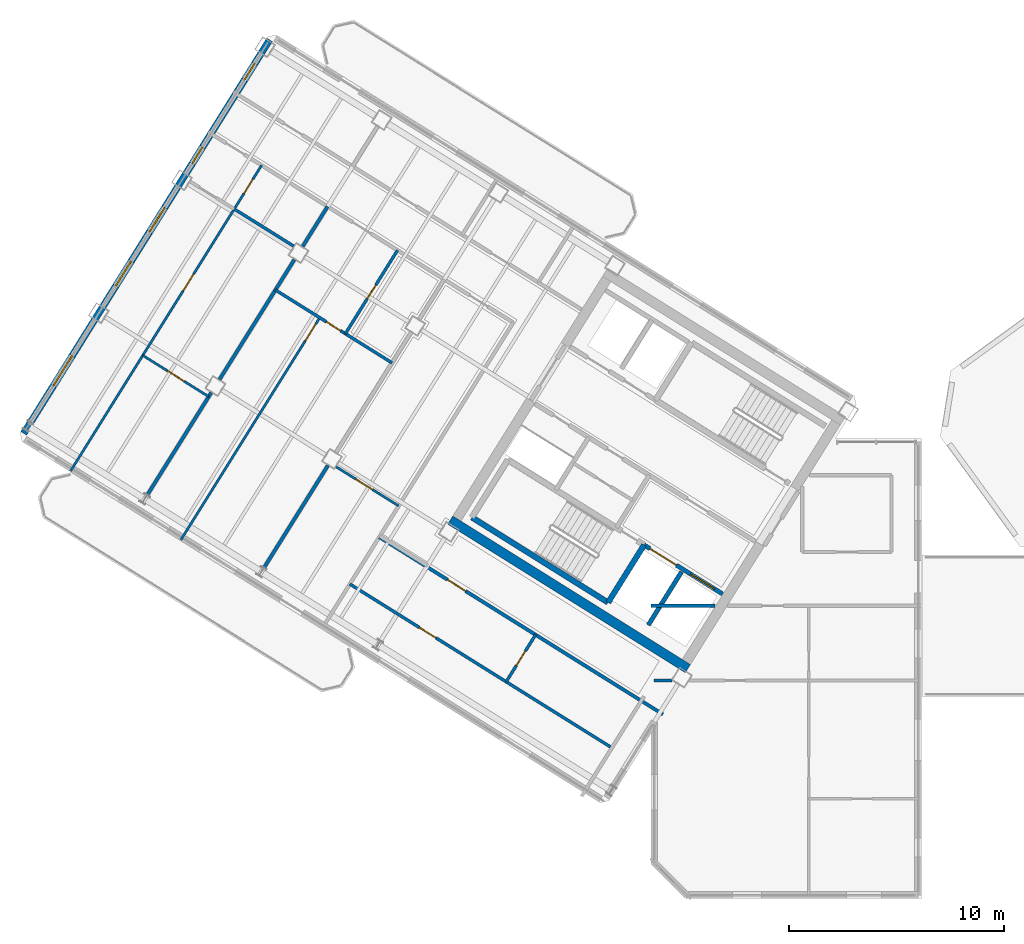
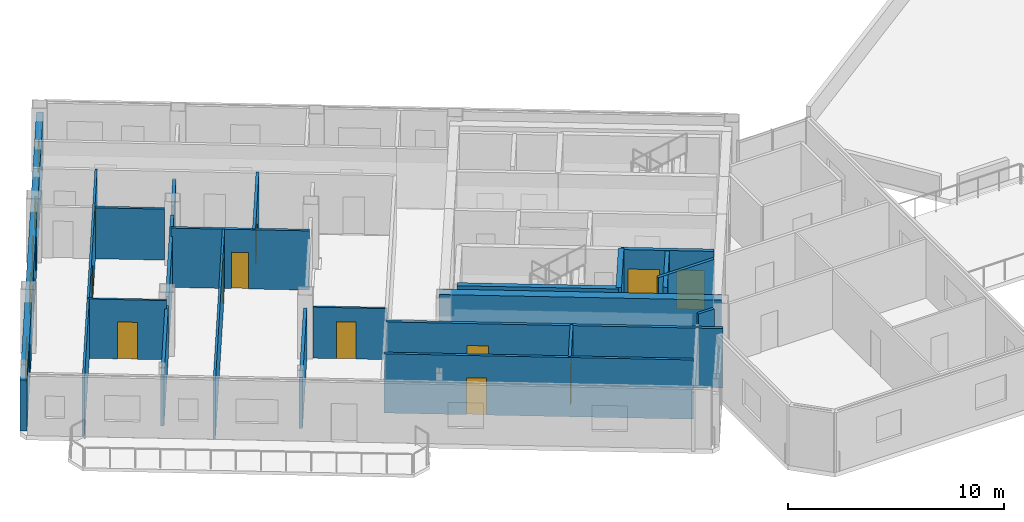
# One storey, part 5 of 14: 22 walls, 12 doors, 5 windows, 17 openings.
"""IFC4 building model written with IfcOpenShell, lengths in metres."""

from ifc_helpers import new_model, si_unit, direction, frame, frame_2d, origin, place, context, subcontext, project, spatial, rectangle, extrude, source, transform, mapped, material, layer, layer_set, type_object, element, fill, save


model = new_model("IFC4")

# Units and contexts
model_context = context("Model", 3, precision=1e-05, world=origin(), true_north=direction((0.0, 1.0)))
body_context = subcontext(model_context, "Body", "Model", "MODEL_VIEW")
ifc_project = project(units=[si_unit("LENGTHUNIT", "METRE"), si_unit("AREAUNIT", "SQUARE_METRE"), si_unit("VOLUMEUNIT", "CUBIC_METRE"), si_unit("PLANEANGLEUNIT", "RADIAN"), si_unit("MASSUNIT", "GRAM", prefix="KILO")], contexts=[model_context])

# Site, building, storey
site_placement = place(None, origin())
site = spatial("IfcSite", under=ifc_project, at=site_placement, CompositionType="ELEMENT")
building_placement = place(site_placement, origin())
building = spatial("IfcBuilding", under=site, at=building_placement, Name="Tlacorven Tower", CompositionType="ELEMENT")
storey_placement = place(building_placement, frame((0.0, 0.0, 262.800048828125)))
storey = spatial("IfcBuildingStorey", under=building, at=storey_placement, Name="L66", CompositionType="ELEMENT", Elevation=262.800048828125)

# Walls
ifc_material_1 = material(Name="Concrete C50/60", Category="concrete")
ifc_layer_1 = layer(ifc_material_1, 0.449951171875)
ifc_layer_set_1 = layer_set([ifc_layer_1], Name="Concrete C50/60")
wall_type_1 = type_object("IfcWallType", Name="WL-COR-450", PredefinedType="SHEAR", material=ifc_layer_set_1)
wall_1_placement = place(storey_placement, frame((33.32373046875, 12.5029296875, 0.0), z_axis=(0.0, 0.0, 1.0), x_axis=(-0.848043529849, 0.529926571782, 0.0)))
element("IfcWall", 1, at=wall_1_placement, inside=storey, type_object=wall_type_1, Name="L66 W core shear wall S2", PredefinedType="SHEAR", context=body_context, shape_type="SweptSolid", body=[
    extrude(rectangle(XDim=13.039794921875, YDim=0.449951171875, at=frame_2d((6.52001953125, 0.0))), origin(), (0.0, 0.0, 1.0), 3.349853515625),
])
ifc_material_2 = material(Name="Gypsum plasterboard acoustic partition", Category="gypsum")
ifc_layer_2 = layer(ifc_material_2, 0.159912109375)
ifc_layer_set_2 = layer_set([ifc_layer_2], Name="Gypsum plasterboard acoustic partition")
wall_type_2 = type_object("IfcWallType", Name="WL-DEM-160", PredefinedType="PARTITIONING", material=ifc_layer_set_2)
wall_2_placement = place(storey_placement, frame((16.57177734375, 21.954345703125, 0.0), z_axis=(0.0, 0.0, 1.0), x_axis=(-0.529904903214, -0.848057069748, 0.0)))
element("IfcWall", 2, at=wall_2_placement, inside=storey, type_object=wall_type_2, Name="L66 WN Demising Wall 1", PredefinedType="PARTITIONING", context=body_context, shape_type="SweptSolid", body=[
    extrude(rectangle(XDim=5.60107421875, YDim=0.159912109375, at=frame_2d((2.800537109375, 0.0))), origin(), (0.0, 0.0, 1.0), 2.875),
])
wall_3_placement = place(storey_placement, frame((16.555908203125, 34.006103515625, 0.0), z_axis=(0.0, 0.0, 1.0), x_axis=(-0.529998940003, -0.847998304005, 0.0)))
element("IfcWall", 3, at=wall_3_placement, inside=storey, type_object=wall_type_2, Name="L66 WN Demising Wall 2", PredefinedType="PARTITIONING", context=body_context, shape_type="SweptSolid", body=[
    extrude(rectangle(XDim=2.18798828125, YDim=0.159912109375, at=frame_2d((1.093994140625, 0.0))), origin(), (0.0, 0.0, 1.0), 2.875),
])
wall_4_placement = place(storey_placement, frame((15.0126953125, 31.53662109375, 0.0), z_axis=(0.0, 0.0, 1.0), x_axis=(-0.529922185033, -0.848046271031, 0.0)))
element("IfcWall", 4, at=wall_4_placement, inside=storey, type_object=wall_type_2, Name="L66 WN Demising Wall 2", PredefinedType="PARTITIONING", context=body_context, shape_type="SweptSolid", body=[
    extrude(rectangle(XDim=6.576171875, YDim=0.159912109375, at=frame_2d((3.2880859375, 0.0))), origin(), (0.0, 0.0, 1.0), 2.875),
])
wall_5_placement = place(storey_placement, frame((11.144287109375, 25.345947265625, 0.0), z_axis=(0.0, 0.0, 1.0), x_axis=(-0.529904903214, -0.848057069748, 0.0)))
element("IfcWall", 5, at=wall_5_placement, inside=storey, type_object=wall_type_2, Name="L66 WN Demising Wall 2", PredefinedType="PARTITIONING", context=body_context, shape_type="SweptSolid", body=[
    extrude(rectangle(XDim=5.60107421875, YDim=0.159912109375, at=frame_2d((2.800537109375, 0.0))), origin(), (0.0, 0.0, 1.0), 2.875),
])

# Wall, opening, door
wall_6_placement = place(storey_placement, frame((32.164306640625, 10.373779296875, 0.0), z_axis=(0.0, 0.0, 1.0), x_axis=(-0.848044107957, 0.529925646633, 0.0)))
wall_6 = element("IfcWall", 6, at=wall_6_placement, inside=storey, type_object=wall_type_2, Name="L66 partition 39", PredefinedType="PARTITIONING", context=body_context, shape_type="SweptSolid", body=[
    extrude(rectangle(XDim=15.570068359375, YDim=0.159912109375, at=frame_2d((7.78515625, 0.0))), origin(), (0.0, 0.0, 1.0), 3.33984375),
])
opening_1_placement = place(wall_6_placement, frame((10.830078125, 0.0, 0.0)))
opening_1 = element("IfcOpeningElement", 7, at=opening_1_placement, cuts=wall_6, Name="Opening D11", PredefinedType="OPENING", context=body_context, shape_type="SweptSolid", body=[
    extrude(rectangle(XDim=1.0, YDim=2.10009765625, at=frame_2d((0.5, 1.050048828125))), frame((0.0, 0.08984375, 0.0), z_axis=(0.0, -1.0, 0.0), x_axis=(1.0, 0.0, 0.0)), (0.0, 0.0, 1.0), 0.179931640625),
])
ifc_material_3 = material(Name="Fire-rated steel door assembly", Category="steel")
door_type_1 = type_object("IfcDoorType", Name="DR-FLT-FD60-1000", OperationType="NOTDEFINED", PredefinedType="DOOR", material=ifc_material_3)
shared_shape_1 = source(origin(), body_context, "Body", "SweptSolid", [
    extrude(rectangle(XDim=1.0, YDim=2.10009765625, at=frame_2d((0.5, 1.050048828125))), frame((0.0, 0.02490234375, 0.0), z_axis=(0.0, -1.0, 0.0), x_axis=(1.0, 0.0, 0.0)), (0.0, 0.0, 1.0), 0.050048828125),
])
door_1_placement = place(opening_1_placement, origin())
door_1 = element("IfcDoor", 8, at=door_1_placement, inside=storey, type_object=door_type_1, Name="L66 door 027", OperationType="SINGLE_SWING_LEFT", OverallHeight=2.10009765625, OverallWidth=1.0, PredefinedType="DOOR", context=body_context, shape_type="MappedRepresentation", body=[
    mapped(shared_shape_1, transform((0.0, 0.0, 0.0), scale=1.0)),
])
fill(opening_1, door_1)

# Wall
wall_7_placement = place(storey_placement, frame((31.60009765625, 15.419921875, 0.0), z_axis=(0.0, 0.0, 1.0), x_axis=(1.0, 0.0, 0.0)))
element("IfcWall", 9, at=wall_7_placement, inside=storey, type_object=wall_type_2, Name="L66 Knuckle Corridor South Wall", PredefinedType="PARTITIONING", context=body_context, shape_type="SweptSolid", body=[
    extrude(rectangle(XDim=2.984130859375, YDim=0.159912109375, at=frame_2d((1.4921875, 0.0))), origin(), (0.0, 0.0, 1.0), 3.33984375),
])

# Wall, openings, windows
ifc_material_4 = material(Name="Precast concrete C45/55", Category="concrete")
ifc_layer_3 = layer(ifc_material_4, 0.320068359375)
ifc_layer_set_3 = layer_set([ifc_layer_3], Name="Precast concrete C45/55")
wall_type_3 = type_object("IfcWallType", Name="WL-EXT-320", PredefinedType="STANDARD", material=ifc_layer_set_3)
wall_8_placement = place(storey_placement, frame((2.41455078125, 23.452392578125, 0.0), z_axis=(0.0, 0.0, 1.0), x_axis=(0.52991049553, 0.848053575387, 0.0)))
wall_8 = element("IfcWall", 10, at=wall_8_placement, inside=storey, type_object=wall_type_3, Name="L66 Masonry-Frame Recessed Facade Wall 7", PredefinedType="STANDARD", context=body_context, shape_type="SweptSolid", body=[
    extrude(rectangle(XDim=21.58740234375, YDim=0.320068359375, at=frame_2d((10.793701171875, 0.0))), origin(), (0.0, 0.0, 1.0), 2.875),
])
opening_2_placement = place(wall_8_placement, frame((2.606201171875, 0.0, 0.89990234375)))
opening_2 = element("IfcOpeningElement", 11, at=opening_2_placement, cuts=wall_8, Name="Opening WN07", PredefinedType="OPENING", context=body_context, shape_type="SweptSolid", body=[
    extrude(rectangle(XDim=1.64990234375, YDim=1.449951171875, at=frame_2d((0.824951171875, 0.72509765625))), frame((0.0, 0.169921875, 0.0), z_axis=(0.0, -1.0, 0.0), x_axis=(1.0, 0.0, 0.0)), (0.0, 0.0, 1.0), 0.340087890625),
])
opening_3_placement = place(wall_8_placement, frame((8.09375, 0.0, 0.89990234375)))
opening_3 = element("IfcOpeningElement", 12, at=opening_3_placement, cuts=wall_8, Name="Opening WN08", PredefinedType="OPENING", context=body_context, shape_type="SweptSolid", body=[
    extrude(rectangle(XDim=1.35009765625, YDim=1.449951171875, at=frame_2d((0.675048828125, 0.72509765625))), frame((0.0, 0.169921875, 0.0), z_axis=(0.0, -1.0, 0.0), x_axis=(1.0, 0.0, 0.0)), (0.0, 0.0, 1.0), 0.340087890625),
])
opening_4_placement = place(wall_8_placement, frame((11.043701171875, 0.0, 0.89990234375)))
opening_4 = element("IfcOpeningElement", 13, at=opening_4_placement, cuts=wall_8, Name="Opening WN08", PredefinedType="OPENING", context=body_context, shape_type="SweptSolid", body=[
    extrude(rectangle(XDim=1.35009765625, YDim=1.449951171875, at=frame_2d((0.675048828125, 0.72509765625))), frame((0.0, 0.169921875, 0.0), z_axis=(0.0, -1.0, 0.0), x_axis=(1.0, 0.0, 0.0)), (0.0, 0.0, 1.0), 0.340087890625),
])
opening_5_placement = place(wall_8_placement, frame((14.8037109375, 0.0, 1.0)))
opening_5 = element("IfcOpeningElement", 14, at=opening_5_placement, cuts=wall_8, Name="Opening WN05", PredefinedType="OPENING", context=body_context, shape_type="SweptSolid", body=[
    extrude(rectangle(XDim=0.89990234375, YDim=1.25, at=frame_2d((0.449951171875, 0.625))), frame((0.0, 0.169921875, 0.0), z_axis=(0.0, -1.0, 0.0), x_axis=(1.0, 0.0, 0.0)), (0.0, 0.0, 1.0), 0.340087890625),
])
opening_6_placement = place(wall_8_placement, frame((19.3837890625, 0.0, 1.0)))
opening_6 = element("IfcOpeningElement", 15, at=opening_6_placement, cuts=wall_8, Name="Opening WN05", PredefinedType="OPENING", context=body_context, shape_type="SweptSolid", body=[
    extrude(rectangle(XDim=0.89990234375, YDim=1.25, at=frame_2d((0.449951171875, 0.625))), frame((0.0, 0.169921875, 0.0), z_axis=(0.0, -1.0, 0.0), x_axis=(1.0, 0.0, 0.0)), (0.0, 0.0, 1.0), 0.340087890625),
])
ifc_material_5 = material(Name="Dark solar low-E double glazing in anodised aluminium frame", Category="aluminium")
window_type_1 = type_object("IfcWindowType", Name="WN-APT-0900X1350", PartitioningType="SINGLE_PANEL", PredefinedType="WINDOW", material=ifc_material_5)
shared_shape_2 = source(origin(), body_context, "Body", "SweptSolid", [
    extrude(rectangle(XDim=0.89990234375, YDim=1.25, at=frame_2d((0.449951171875, 0.625))), frame((0.0, 0.030029296875, 0.0), z_axis=(0.0, -1.0, 0.0), x_axis=(1.0, 0.0, 0.0)), (0.0, 0.0, 1.0), 0.06005859375),
])
window_1_placement = place(opening_5_placement, origin())
window_1 = element("IfcWindow", 16, at=window_1_placement, inside=storey, type_object=window_type_1, Name="L66 Recessed Masonry-Frame Window L66-07.4", OverallHeight=1.25, OverallWidth=0.89990234375, PartitioningType="SINGLE_PANEL", PredefinedType="WINDOW", context=body_context, shape_type="MappedRepresentation", body=[
    mapped(shared_shape_2, transform((0.0, 0.0, 0.0), scale=1.0)),
])
fill(opening_5, window_1)
window_2_placement = place(opening_6_placement, origin())
window_2 = element("IfcWindow", 17, at=window_2_placement, inside=storey, type_object=window_type_1, Name="L66 Recessed Masonry-Frame Window L66-07.5", OverallHeight=1.25, OverallWidth=0.89990234375, PartitioningType="SINGLE_PANEL", PredefinedType="WINDOW", context=body_context, shape_type="MappedRepresentation", body=[
    mapped(shared_shape_2, transform((0.0, 0.0, 0.0), scale=1.0)),
])
fill(opening_6, window_2)
window_type_2 = type_object("IfcWindowType", Name="WN-APT-1650X1600", PartitioningType="SINGLE_PANEL", PredefinedType="WINDOW", material=ifc_material_5)
shared_shape_3 = source(origin(), body_context, "Body", "SweptSolid", [
    extrude(rectangle(XDim=1.64990234375, YDim=1.449951171875, at=frame_2d((0.824951171875, 0.72509765625))), frame((0.0, 0.030029296875, 0.0), z_axis=(0.0, -1.0, 0.0), x_axis=(1.0, 0.0, 0.0)), (0.0, 0.0, 1.0), 0.06005859375),
])
window_3_placement = place(opening_2_placement, origin())
window_3 = element("IfcWindow", 18, at=window_3_placement, inside=storey, type_object=window_type_2, Name="L66 Recessed Masonry-Frame Window L66-07.1", OverallHeight=1.449951171875, OverallWidth=1.64990234375, PartitioningType="SINGLE_PANEL", PredefinedType="WINDOW", context=body_context, shape_type="MappedRepresentation", body=[
    mapped(shared_shape_3, transform((0.0, 0.0, 0.0), scale=1.0)),
])
fill(opening_2, window_3)
window_type_3 = type_object("IfcWindowType", Name="WN-APT-1350X1550", PartitioningType="SINGLE_PANEL", PredefinedType="WINDOW", material=ifc_material_5)
shared_shape_4 = source(origin(), body_context, "Body", "SweptSolid", [
    extrude(rectangle(XDim=1.35009765625, YDim=1.449951171875, at=frame_2d((0.675048828125, 0.72509765625))), frame((0.0, 0.030029296875, 0.0), z_axis=(0.0, -1.0, 0.0), x_axis=(1.0, 0.0, 0.0)), (0.0, 0.0, 1.0), 0.06005859375),
])
window_4_placement = place(opening_3_placement, origin())
window_4 = element("IfcWindow", 19, at=window_4_placement, inside=storey, type_object=window_type_3, Name="L66 Recessed Masonry-Frame Window L66-07.2", OverallHeight=1.449951171875, OverallWidth=1.35009765625, PartitioningType="SINGLE_PANEL", PredefinedType="WINDOW", context=body_context, shape_type="MappedRepresentation", body=[
    mapped(shared_shape_4, transform((0.0, 0.0, 0.0), scale=1.0)),
])
fill(opening_3, window_4)
window_5_placement = place(opening_4_placement, origin())
window_5 = element("IfcWindow", 20, at=window_5_placement, inside=storey, type_object=window_type_3, Name="L66 Recessed Masonry-Frame Window L66-07.3", OverallHeight=1.449951171875, OverallWidth=1.35009765625, PartitioningType="SINGLE_PANEL", PredefinedType="WINDOW", context=body_context, shape_type="MappedRepresentation", body=[
    mapped(shared_shape_4, transform((0.0, 0.0, 0.0), scale=1.0)),
])
fill(opening_4, window_5)

# Wall, opening, door
ifc_material_6 = material(Name="Gypsum plasterboard partition", Category="gypsum")
ifc_layer_4 = layer(ifc_material_6, 0.110107421875)
ifc_layer_set_4 = layer_set([ifc_layer_4], Name="Gypsum plasterboard partition")
wall_type_4 = type_object("IfcWallType", Name="WL-INT-110", PredefinedType="PARTITIONING", material=ifc_layer_set_4)
wall_9_placement = place(storey_placement, frame((19.865478515625, 20.0732421875, 0.0), z_axis=(0.0, 0.0, 1.0), x_axis=(-0.84807831592, 0.529870899433, 0.0)))
wall_9 = element("IfcWall", 21, at=wall_9_placement, inside=storey, type_object=wall_type_4, Name="L66 partition 27", PredefinedType="PARTITIONING", context=body_context, shape_type="SweptSolid", body=[
    extrude(rectangle(XDim=3.427978515625, YDim=0.110107421875, at=frame_2d((1.7138671875, 0.0))), origin(), (0.0, 0.0, 1.0), 2.875),
])
opening_7_placement = place(wall_9_placement, frame((1.43505859375, 0.0, 0.0)))
opening_7 = element("IfcOpeningElement", 22, at=opening_7_placement, cuts=wall_9, Name="Opening D12", PredefinedType="OPENING", context=body_context, shape_type="SweptSolid", body=[
    extrude(rectangle(XDim=0.919921875, YDim=2.080078125, at=frame_2d((0.4599609375, 1.0400390625))), frame((0.0, 0.06494140625, 0.0), z_axis=(0.0, -1.0, 0.0), x_axis=(1.0, 0.0, 0.0)), (0.0, 0.0, 1.0), 0.130126953125),
])
ifc_material_7 = material(Name="Powder-coated aluminium and timber door", Category="wood")
door_type_2 = type_object("IfcDoorType", Name="DR-INT-ROOM-0920", OperationType="NOTDEFINED", PredefinedType="DOOR", material=ifc_material_7)
shared_shape_5 = source(origin(), body_context, "Body", "SweptSolid", [
    extrude(rectangle(XDim=0.919921875, YDim=2.080078125, at=frame_2d((0.4599609375, 1.0400390625))), frame((0.0, 0.02490234375, 0.0), z_axis=(0.0, -1.0, 0.0), x_axis=(1.0, 0.0, 0.0)), (0.0, 0.0, 1.0), 0.050048828125),
])
door_2_placement = place(opening_7_placement, origin())
door_2 = element("IfcDoor", 23, at=door_2_placement, inside=storey, type_object=door_type_2, Name="L66 door 013", OperationType="SINGLE_SWING_LEFT", OverallHeight=2.080078125, OverallWidth=0.919921875, PredefinedType="DOOR", context=body_context, shape_type="MappedRepresentation", body=[
    mapped(shared_shape_5, transform((0.0, 0.0, 0.0), scale=1.0)),
])
fill(opening_7, door_2)

wall_10_placement = place(storey_placement, frame((16.191162109375, 28.833251953125, 0.0), z_axis=(0.0, 0.0, 1.0), x_axis=(-0.529921526101, -0.84804668278, 0.0)))
wall_10 = element("IfcWall", 24, at=wall_10_placement, inside=storey, type_object=wall_type_4, Name="L66 partition 31", PredefinedType="PARTITIONING", context=body_context, shape_type="SweptSolid", body=[
    extrude(rectangle(XDim=12.18994140625, YDim=0.110107421875, at=frame_2d((6.094970703125, 0.0))), origin(), (0.0, 0.0, 1.0), 3.33984375),
])
opening_8_placement = place(wall_10_placement, frame((0.35009765625, 0.0, 0.0)))
opening_8 = element("IfcOpeningElement", 25, at=opening_8_placement, cuts=wall_10, Name="Opening D12", PredefinedType="OPENING", context=body_context, shape_type="SweptSolid", body=[
    extrude(rectangle(XDim=0.919921875, YDim=2.080078125, at=frame_2d((0.4599609375, 1.0400390625))), frame((0.0, 0.06494140625, 0.0), z_axis=(0.0, -1.0, 0.0), x_axis=(1.0, 0.0, 0.0)), (0.0, 0.0, 1.0), 0.130126953125),
])
door_3_placement = place(opening_8_placement, origin())
door_3 = element("IfcDoor", 26, at=door_3_placement, inside=storey, type_object=door_type_2, Name="L66 door 014", OperationType="SINGLE_SWING_RIGHT", OverallHeight=2.080078125, OverallWidth=0.919921875, PredefinedType="DOOR", context=body_context, shape_type="MappedRepresentation", body=[
    mapped(shared_shape_5, transform((0.0, 0.0, 0.0), scale=1.0)),
])
fill(opening_8, door_3)

# Wall, openings, doors
wall_11_placement = place(storey_placement, frame((13.48583984375, 35.92431640625, 0.0), z_axis=(0.0, 0.0, 1.0), x_axis=(-0.529920421309, -0.848047373134, 0.0)))
wall_11 = element("IfcWall", 27, at=wall_11_placement, inside=storey, type_object=wall_type_4, Name="L66 partition 32", PredefinedType="PARTITIONING", context=body_context, shape_type="SweptSolid", body=[
    extrude(rectangle(XDim=16.77001953125, YDim=0.110107421875, at=frame_2d((8.385009765625, 0.0))), origin(), (0.0, 0.0, 1.0), 3.33984375),
])
opening_9_placement = place(wall_11_placement, frame((0.760009765625, 0.0, 0.0)))
opening_9 = element("IfcOpeningElement", 28, at=opening_9_placement, cuts=wall_11, Name="Opening D22", PredefinedType="OPENING", context=body_context, shape_type="SweptSolid", body=[
    extrude(rectangle(XDim=0.780029296875, YDim=2.050048828125, at=frame_2d((0.39013671875, 1.02490234375))), frame((0.0, 0.06494140625, 0.0), z_axis=(0.0, -1.0, 0.0), x_axis=(1.0, 0.0, 0.0)), (0.0, 0.0, 1.0), 0.130126953125),
])
opening_10_placement = place(wall_11_placement, frame((5.966552734375, 0.0, 0.0)))
opening_10 = element("IfcOpeningElement", 29, at=opening_10_placement, cuts=wall_11, Name="Opening D12", PredefinedType="OPENING", context=body_context, shape_type="SweptSolid", body=[
    extrude(rectangle(XDim=0.919921875, YDim=2.080078125, at=frame_2d((0.4599609375, 1.0400390625))), frame((0.0, 0.06494140625, 0.0), z_axis=(0.0, -1.0, 0.0), x_axis=(1.0, 0.0, 0.0)), (0.0, 0.0, 1.0), 0.130126953125),
])
door_type_3 = type_object("IfcDoorType", Name="DR-INT-WET-0780", OperationType="NOTDEFINED", PredefinedType="DOOR", material=ifc_material_7)
shared_shape_6 = source(origin(), body_context, "Body", "SweptSolid", [
    extrude(rectangle(XDim=0.780029296875, YDim=2.050048828125, at=frame_2d((0.39013671875, 1.02490234375))), frame((0.0, 0.02490234375, 0.0), z_axis=(0.0, -1.0, 0.0), x_axis=(1.0, 0.0, 0.0)), (0.0, 0.0, 1.0), 0.050048828125),
])
door_4_placement = place(opening_9_placement, origin())
door_4 = element("IfcDoor", 30, at=door_4_placement, inside=storey, type_object=door_type_3, Name="L66 door 021", OperationType="SINGLE_SWING_LEFT", OverallHeight=2.050048828125, OverallWidth=0.780029296875, PredefinedType="DOOR", context=body_context, shape_type="MappedRepresentation", body=[
    mapped(shared_shape_6, transform((0.0, 0.0, 0.0), scale=1.0)),
])
fill(opening_9, door_4)
door_5_placement = place(opening_10_placement, origin())
door_5 = element("IfcDoor", 31, at=door_5_placement, inside=storey, type_object=door_type_2, Name="L66 door 022", OperationType="SINGLE_SWING_RIGHT", OverallHeight=2.080078125, OverallWidth=0.919921875, PredefinedType="DOOR", context=body_context, shape_type="MappedRepresentation", body=[
    mapped(shared_shape_5, transform((0.0, 0.0, 0.0), scale=1.0)),
])
fill(opening_10, door_5)

# Wall, opening, door
wall_12_placement = place(storey_placement, frame((11.027099609375, 25.158447265625, 0.0), z_axis=(0.0, 0.0, 1.0), x_axis=(-0.848051346257, 0.52991406295, 0.0)))
wall_12 = element("IfcWall", 32, at=wall_12_placement, inside=storey, type_object=wall_type_4, Name="L66 partition 36", PredefinedType="PARTITIONING", context=body_context, shape_type="SweptSolid", body=[
    extrude(rectangle(XDim=3.619873046875, YDim=0.110107421875, at=frame_2d((1.81005859375, 0.0))), origin(), (0.0, 0.0, 1.0), 3.33984375),
])
opening_11_placement = place(wall_12_placement, frame((1.35009765625, 0.0, 0.0)))
opening_11 = element("IfcOpeningElement", 33, at=opening_11_placement, cuts=wall_12, Name="Opening D12", PredefinedType="OPENING", context=body_context, shape_type="SweptSolid", body=[
    extrude(rectangle(XDim=0.919921875, YDim=2.080078125, at=frame_2d((0.4599609375, 1.0400390625))), frame((0.0, 0.06494140625, 0.0), z_axis=(0.0, -1.0, 0.0), x_axis=(1.0, 0.0, 0.0)), (0.0, 0.0, 1.0), 0.130126953125),
])
door_6_placement = place(opening_11_placement, origin())
door_6 = element("IfcDoor", 34, at=door_6_placement, inside=storey, type_object=door_type_2, Name="L66 door 023", OperationType="SINGLE_SWING_LEFT", OverallHeight=2.080078125, OverallWidth=0.919921875, PredefinedType="DOOR", context=body_context, shape_type="MappedRepresentation", body=[
    mapped(shared_shape_5, transform((0.0, 0.0, 0.0), scale=1.0)),
])
fill(opening_11, door_6)

ifc_material_8 = material(Name="Moisture-resistant gypsum plumbing wall", Category="gypsum")
ifc_layer_5 = layer(ifc_material_8, 0.139892578125)
ifc_layer_set_5 = layer_set([ifc_layer_5], Name="Moisture-resistant gypsum plumbing wall")
wall_type_5 = type_object("IfcWallType", Name="WL-PLM-140", PredefinedType="PLUMBINGWALL", material=ifc_layer_set_5)
wall_13_placement = place(storey_placement, frame((19.556396484375, 26.73046875, 0.0), z_axis=(0.0, 0.0, 1.0), x_axis=(-0.848049732085, 0.529916646191, 0.0)))
wall_13 = element("IfcWall", 35, at=wall_13_placement, inside=storey, type_object=wall_type_5, Name="L66 partition 29", PredefinedType="PLUMBINGWALL", context=body_context, shape_type="SweptSolid", body=[
    extrude(rectangle(XDim=6.400146484375, YDim=0.139892578125, at=frame_2d((3.2001953125, 0.0))), origin(), (0.0, 0.0, 1.0), 3.33984375),
])
opening_12_placement = place(wall_13_placement, frame((2.823974609375, 0.0, 0.0)))
opening_12 = element("IfcOpeningElement", 36, at=opening_12_placement, cuts=wall_13, Name="Opening D22", PredefinedType="OPENING", context=body_context, shape_type="SweptSolid", body=[
    extrude(rectangle(XDim=0.780029296875, YDim=2.050048828125, at=frame_2d((0.39013671875, 1.02490234375))), frame((0.0, 0.080078125, 0.0), z_axis=(0.0, -1.0, 0.0), x_axis=(1.0, 0.0, 0.0)), (0.0, 0.0, 1.0), 0.159912109375),
])
door_7_placement = place(opening_12_placement, origin())
door_7 = element("IfcDoor", 37, at=door_7_placement, inside=storey, type_object=door_type_3, Name="L66 door 016", OperationType="SINGLE_SWING_RIGHT", OverallHeight=2.050048828125, OverallWidth=0.780029296875, PredefinedType="DOOR", context=body_context, shape_type="MappedRepresentation", body=[
    mapped(shared_shape_6, transform((0.0, 0.0, 0.0), scale=1.0)),
])
fill(opening_12, door_7)

wall_14_placement = place(storey_placement, frame((19.812255859375, 31.97119140625, 0.0), z_axis=(0.0, 0.0, 1.0), x_axis=(-0.529917480809, -0.848049210561, 0.0)))
wall_14 = element("IfcWall", 38, at=wall_14_placement, inside=storey, type_object=wall_type_5, Name="L66 partition 30", PredefinedType="PLUMBINGWALL", context=body_context, shape_type="SweptSolid", body=[
    extrude(rectangle(XDim=4.580078125, YDim=0.139892578125, at=frame_2d((2.2900390625, 0.0))), origin(), (0.0, 0.0, 1.0), 3.33984375),
])
opening_13_placement = place(wall_14_placement, frame((1.89990234375, 0.0, 0.0)))
opening_13 = element("IfcOpeningElement", 39, at=opening_13_placement, cuts=wall_14, Name="Opening D22", PredefinedType="OPENING", context=body_context, shape_type="SweptSolid", body=[
    extrude(rectangle(XDim=0.780029296875, YDim=2.050048828125, at=frame_2d((0.39013671875, 1.02490234375))), frame((0.0, 0.080078125, 0.0), z_axis=(0.0, -1.0, 0.0), x_axis=(1.0, 0.0, 0.0)), (0.0, 0.0, 1.0), 0.159912109375),
])
door_8_placement = place(opening_13_placement, origin())
door_8 = element("IfcDoor", 40, at=door_8_placement, inside=storey, type_object=door_type_3, Name="L66 door 017", OperationType="SINGLE_SWING_LEFT", OverallHeight=2.050048828125, OverallWidth=0.780029296875, PredefinedType="DOOR", context=body_context, shape_type="MappedRepresentation", body=[
    mapped(shared_shape_6, transform((0.0, 0.0, 0.0), scale=1.0)),
])
fill(opening_13, door_8)

# Wall
wall_15_placement = place(storey_placement, frame((14.97705078125, 32.16259765625, 0.0), z_axis=(0.0, 0.0, 1.0), x_axis=(-0.848036190178, 0.529938317305, 0.0)))
element("IfcWall", 41, at=wall_15_placement, inside=storey, type_object=wall_type_5, Name="L66 partition 35", PredefinedType="PLUMBINGWALL", context=body_context, shape_type="SweptSolid", body=[
    extrude(rectangle(XDim=3.258056640625, YDim=0.139892578125, at=frame_2d((1.62890625, 0.0))), origin(), (0.0, 0.0, 1.0), 2.875),
])

# Wall, opening, door
wall_16_placement = place(storey_placement, frame((29.72021484375, 8.85888671875, 0.0), z_axis=(0.0, 0.0, 1.0), x_axis=(-0.848049134363, 0.529917602752, 0.0)))
wall_16 = element("IfcWall", 42, at=wall_16_placement, inside=storey, type_object=wall_type_5, Name="L66 partition 41", PredefinedType="PLUMBINGWALL", context=body_context, shape_type="SweptSolid", body=[
    extrude(rectangle(XDim=14.300048828125, YDim=0.139892578125, at=frame_2d((7.14990234375, 0.0))), origin(), (0.0, 0.0, 1.0), 3.33984375),
])
opening_14_placement = place(wall_16_placement, frame((9.570068359375, 0.0, 0.0)))
opening_14 = element("IfcOpeningElement", 43, at=opening_14_placement, cuts=wall_16, Name="Opening D12", PredefinedType="OPENING", context=body_context, shape_type="SweptSolid", body=[
    extrude(rectangle(XDim=0.919921875, YDim=2.080078125, at=frame_2d((0.4599609375, 1.0400390625))), frame((0.0, 0.080078125, 0.0), z_axis=(0.0, -1.0, 0.0), x_axis=(1.0, 0.0, 0.0)), (0.0, 0.0, 1.0), 0.159912109375),
])
door_9_placement = place(opening_14_placement, origin())
door_9 = element("IfcDoor", 44, at=door_9_placement, inside=storey, type_object=door_type_2, Name="L66 door 028", OperationType="SINGLE_SWING_RIGHT", OverallHeight=2.080078125, OverallWidth=0.919921875, PredefinedType="DOOR", context=body_context, shape_type="MappedRepresentation", body=[
    mapped(shared_shape_5, transform((0.0, 0.0, 0.0), scale=1.0)),
])
fill(opening_14, door_9)

wall_17_placement = place(storey_placement, frame((26.236572265625, 14.077880859375, 0.0), z_axis=(0.0, 0.0, 1.0), x_axis=(-0.52995640672, -0.848024885824, 0.0)))
wall_17 = element("IfcWall", 45, at=wall_17_placement, inside=storey, type_object=wall_type_5, Name="L66 partition 42", PredefinedType="PLUMBINGWALL", context=body_context, shape_type="SweptSolid", body=[
    extrude(rectangle(XDim=2.579833984375, YDim=0.139892578125, at=frame_2d((1.2900390625, 0.0))), origin(), (0.0, 0.0, 1.0), 3.33984375),
])
opening_15_placement = place(wall_17_placement, frame((0.89990234375, 0.0, 0.0)))
opening_15 = element("IfcOpeningElement", 46, at=opening_15_placement, cuts=wall_17, Name="Opening D22", PredefinedType="OPENING", context=body_context, shape_type="SweptSolid", body=[
    extrude(rectangle(XDim=0.780029296875, YDim=2.050048828125, at=frame_2d((0.39013671875, 1.02490234375))), frame((0.0, 0.080078125, 0.0), z_axis=(0.0, -1.0, 0.0), x_axis=(1.0, 0.0, 0.0)), (0.0, 0.0, 1.0), 0.159912109375),
])
door_10_placement = place(opening_15_placement, origin())
door_10 = element("IfcDoor", 47, at=door_10_placement, inside=storey, type_object=door_type_3, Name="L66 door 029", OperationType="SINGLE_SWING_LEFT", OverallHeight=2.050048828125, OverallWidth=0.780029296875, PredefinedType="DOOR", context=body_context, shape_type="MappedRepresentation", body=[
    mapped(shared_shape_6, transform((0.0, 0.0, 0.0), scale=1.0)),
])
fill(opening_15, door_10)

# Wall
wall_18_placement = place(storey_placement, frame((31.739990234375, 11.949951171875, 0.0), z_axis=(0.0, 0.0, 1.0), x_axis=(1.0, 0.0, 0.0)))
element("IfcWall", 48, at=wall_18_placement, inside=storey, type_object=wall_type_5, Name="L66 partition 50", PredefinedType="PLUMBINGWALL", context=body_context, shape_type="SweptSolid", body=[
    extrude(rectangle(XDim=0.842041015625, YDim=0.139892578125, at=frame_2d((0.4208984375, 0.0))), origin(), (0.0, 0.0, 1.0), 3.33984375),
])

# Wall, openings, doors
ifc_material_9 = material(Name="Concrete C40/50", Category="concrete")
ifc_layer_6 = layer(ifc_material_9, 0.199951171875)
ifc_layer_set_6 = layer_set([ifc_layer_6], Name="Concrete C40/50")
wall_type_6 = type_object("IfcWallType", Name="WL-SHF-200", PredefinedType="STANDARD", material=ifc_layer_set_6)
wall_19_placement = place(storey_placement, frame((34.93310546875, 15.978271484375, 0.0), z_axis=(0.0, 0.0, 1.0), x_axis=(-0.848055739377, 0.529907032327, 0.0)))
wall_19 = element("IfcWall", 49, at=wall_19_placement, inside=storey, type_object=wall_type_6, Name="L66 Core W Firefighting Lift Shaft Front Wall", PredefinedType="STANDARD", context=body_context, shape_type="SweptSolid", body=[
    extrude(rectangle(XDim=4.298095703125, YDim=0.199951171875, at=frame_2d((2.14892578125, 0.0))), origin(), (0.0, 0.0, 1.0), 3.33984375),
])
opening_16_placement = place(wall_19_placement, frame((0.447998046875, 0.0, 0.0)))
opening_16 = element("IfcOpeningElement", 50, at=opening_16_placement, cuts=wall_19, Name="Opening LD03", PredefinedType="OPENING", context=body_context, shape_type="SweptSolid", body=[
    extrude(rectangle(XDim=1.300048828125, YDim=2.199951171875, at=frame_2d((0.64990234375, 1.10009765625))), frame((0.0, 0.10986328125, 0.0), z_axis=(0.0, -1.0, 0.0), x_axis=(1.0, 0.0, 0.0)), (0.0, 0.0, 1.0), 0.219970703125),
])
opening_17_placement = place(wall_19_placement, frame((2.52294921875, 0.0, 0.0)))
opening_17 = element("IfcOpeningElement", 51, at=opening_17_placement, cuts=wall_19, Name="Opening LD04", PredefinedType="OPENING", context=body_context, shape_type="SweptSolid", body=[
    extrude(rectangle(XDim=1.449951171875, YDim=2.25, at=frame_2d((0.72509765625, 1.125))), frame((0.0, 0.10986328125, 0.0), z_axis=(0.0, -1.0, 0.0), x_axis=(1.0, 0.0, 0.0)), (0.0, 0.0, 1.0), 0.219970703125),
])
door_type_4 = type_object("IfcDoorType", Name="DR-LFT-SLID-1300", OperationType="DOUBLE_DOOR_SLIDING", PredefinedType="DOOR", material=ifc_material_3)
shared_shape_7 = source(origin(), body_context, "Body", "SweptSolid", [
    extrude(rectangle(XDim=1.300048828125, YDim=2.199951171875, at=frame_2d((0.64990234375, 1.10009765625))), frame((0.0, 0.02490234375, 0.0), z_axis=(0.0, -1.0, 0.0), x_axis=(1.0, 0.0, 0.0)), (0.0, 0.0, 1.0), 0.050048828125),
])
door_11_placement = place(opening_16_placement, origin())
door_11 = element("IfcDoor", 52, at=door_11_placement, inside=storey, type_object=door_type_4, Name="L66 Lift FFL-W1 Sliding Landing Door", OperationType="DOUBLE_DOOR_SLIDING", OverallHeight=2.199951171875, OverallWidth=1.300048828125, PredefinedType="DOOR", context=body_context, shape_type="MappedRepresentation", body=[
    mapped(shared_shape_7, transform((0.0, 0.0, 0.0), scale=1.0)),
])
fill(opening_16, door_11)
door_type_5 = type_object("IfcDoorType", Name="DR-LFT-SLID-1450", OperationType="DOUBLE_DOOR_SLIDING", PredefinedType="DOOR", material=ifc_material_3)
shared_shape_8 = source(origin(), body_context, "Body", "SweptSolid", [
    extrude(rectangle(XDim=1.449951171875, YDim=2.25, at=frame_2d((0.72509765625, 1.125))), frame((0.0, 0.02490234375, 0.0), z_axis=(0.0, -1.0, 0.0), x_axis=(1.0, 0.0, 0.0)), (0.0, 0.0, 1.0), 0.050048828125),
])
door_12_placement = place(opening_17_placement, origin())
door_12 = element("IfcDoor", 53, at=door_12_placement, inside=storey, type_object=door_type_5, Name="L66 Lift SVL-W1 Sliding Landing Door", OperationType="DOUBLE_DOOR_SLIDING", OverallHeight=2.25, OverallWidth=1.449951171875, PredefinedType="DOOR", context=body_context, shape_type="MappedRepresentation", body=[
    mapped(shared_shape_8, transform((0.0, 0.0, 0.0), scale=1.0)),
])
fill(opening_17, door_12)

# Walls
wall_20_placement = place(storey_placement, frame((33.02880859375, 17.003173828125, 0.0), z_axis=(0.0, 0.0, 1.0), x_axis=(-0.529916267533, -0.848049968695, 0.0)))
element("IfcWall", 54, at=wall_20_placement, inside=storey, type_object=wall_type_6, Name="L66 partition 11", PredefinedType="STANDARD", context=body_context, shape_type="SweptSolid", body=[
    extrude(rectangle(XDim=2.919921875, YDim=0.199951171875, at=frame_2d((1.4599609375, 0.0))), origin(), (0.0, 0.0, 1.0), 3.33984375),
])
ifc_layer_7 = layer(ifc_material_1, 0.260009765625)
ifc_layer_set_7 = layer_set([ifc_layer_7], Name="Concrete C50/60")
wall_type_7 = type_object("IfcWallType", Name="WL-STW-260", PredefinedType="SHEAR", material=ifc_layer_set_7)
wall_21_placement = place(storey_placement, frame((29.60498046875, 15.581298828125, 0.0), z_axis=(0.0, 0.0, 1.0), x_axis=(-0.848036911448, 0.529937163087, 0.0)))
element("IfcWall", 55, at=wall_21_placement, inside=storey, type_object=wall_type_7, Name="L66 Stair W1 Far Shear Wall", PredefinedType="SHEAR", context=body_context, shape_type="SweptSolid", body=[
    extrude(rectangle(XDim=7.4599609375, YDim=0.260009765625, at=frame_2d((3.72998046875, 0.0))), origin(), (0.0, 0.0, 1.0), 3.349853515625),
])
wall_22_placement = place(storey_placement, frame((31.2880859375, 18.255859375, 0.0), z_axis=(0.0, 0.0, 1.0), x_axis=(-0.529943379326, -0.848033026897, 0.0)))
element("IfcWall", 56, at=wall_22_placement, inside=storey, type_object=wall_type_7, Name="L66 Stair W1 West Shear Wall", PredefinedType="SHEAR", context=body_context, shape_type="SweptSolid", body=[
    extrude(rectangle(XDim=3.159912109375, YDim=0.260009765625, at=frame_2d((1.580078125, 0.0))), origin(), (0.0, 0.0, 1.0), 3.349853515625),
])

save(model, "model.ifc")
